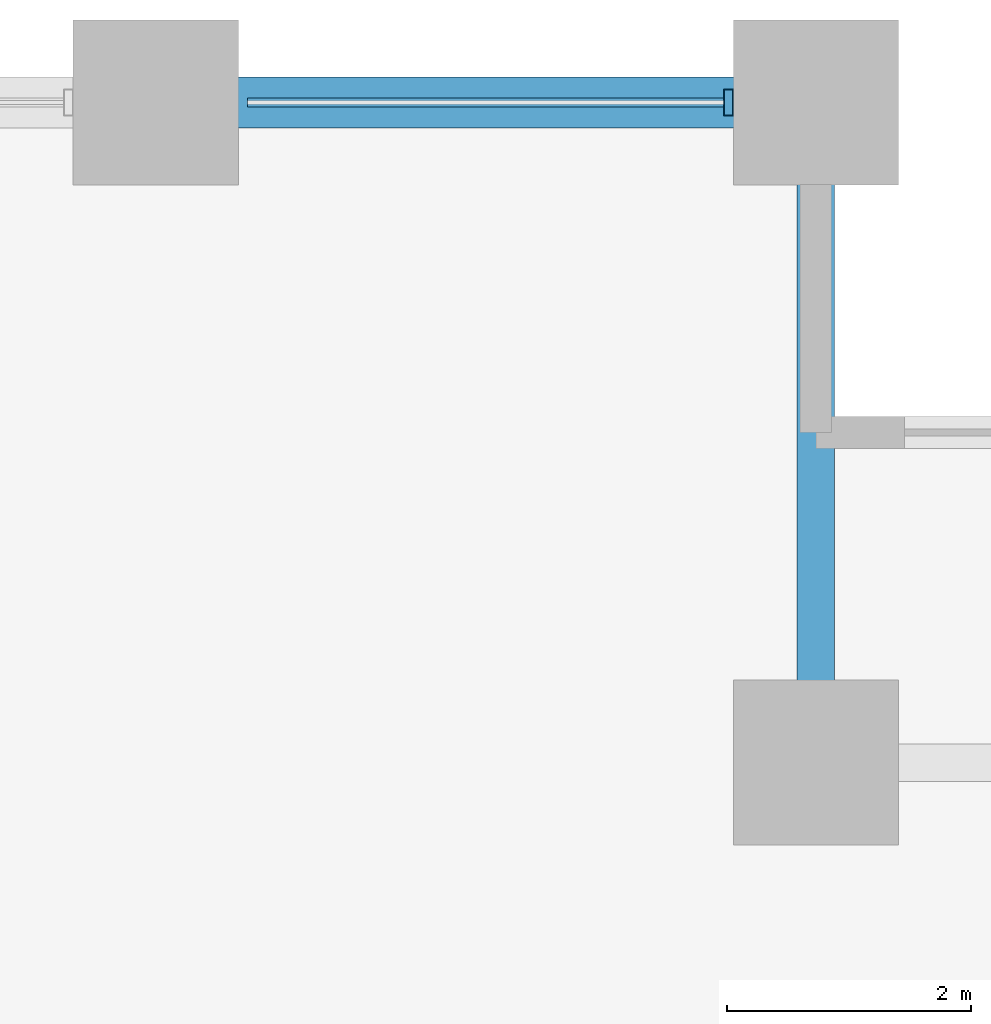
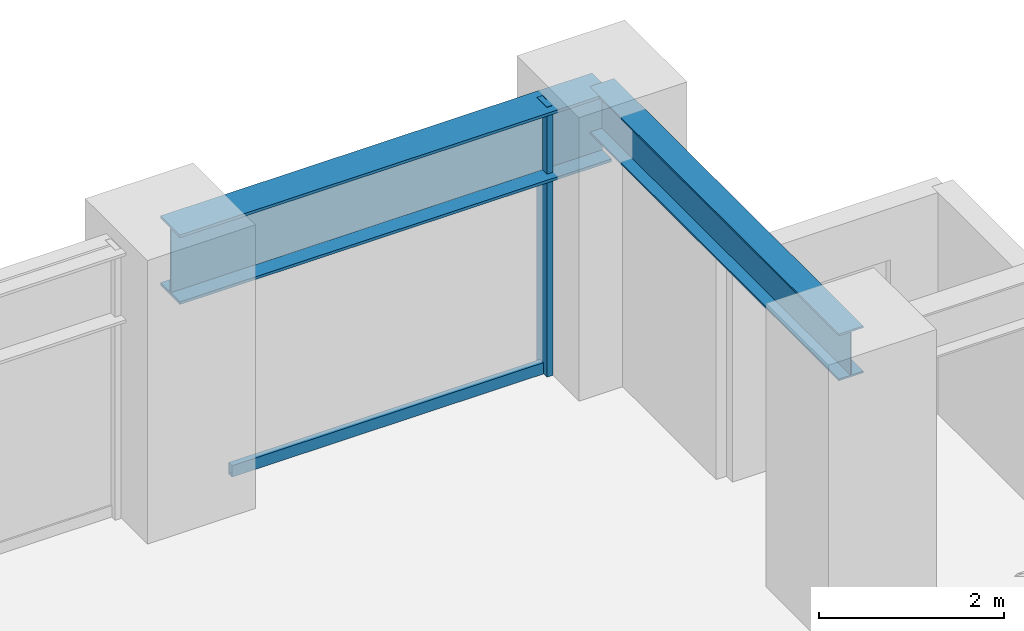
# One storey, part 16 of 25: 2 beams, 2 members, 1 element without a shape of its own.
"""IFC4 building model written with IfcOpenShell, lengths in metres."""

from ifc_helpers import new_model, si_unit, direction, frame, origin, origin_2d, place, context, subcontext, project, spatial, hollow_rectangle, i_section, extrude, material, layer, layer_set, material_profile, profile_set, type_object, element, aggregate, save


model = new_model("IFC4")

# Units and contexts
model_context = context("Model", 3, precision=1e-05, world=origin(), true_north=direction((0.0, 1.0)))
body_context = subcontext(model_context, "Body", "Model", "MODEL_VIEW")
ifc_project = project(units=[si_unit("LENGTHUNIT", "METRE"), si_unit("AREAUNIT", "SQUARE_METRE"), si_unit("VOLUMEUNIT", "CUBIC_METRE"), si_unit("PLANEANGLEUNIT", "RADIAN"), si_unit("MASSUNIT", "GRAM", prefix="KILO")], contexts=[model_context])

# Site, building, storey
site_placement = place(None, origin())
site = spatial("IfcSite", under=ifc_project, at=site_placement, CompositionType="ELEMENT")
building_placement = place(site_placement, origin())
building = spatial("IfcBuilding", under=site, at=building_placement, Name="Surkhivell Harbour Commons", CompositionType="ELEMENT")
storey_placement = place(building_placement, frame((0.0, 0.0, 41.25)))
storey = spatial("IfcBuildingStorey", under=building, at=storey_placement, Name="L10", CompositionType="ELEMENT", Elevation=41.25)

# Beams
ifc_material_1 = material(Name="Steel S355", Category="steel")
ifc_material_profile_1 = material_profile(ifc_material_1, i_section(OverallWidth=0.306884765625, OverallDepth=0.6201171875, WebThickness=0.01416015625, FlangeThickness=0.023681640625, at=origin_2d()), Name="UB610x305x179")
ifc_profile_set_1 = profile_set([ifc_material_profile_1], Name="Steel S355")
beam_type_1 = type_object("IfcBeamType", Name="BM-GRD-610A", PredefinedType="BEAM", material=ifc_profile_set_1)
beam_1_placement = place(storey_placement, frame((27.0, 20.5, 3.260009765625), z_axis=(0.0, 1.0, 0.0), x_axis=(-1.0, 0.0, 0.0)))
element("IfcBeam", 1, at=beam_1_placement, inside=storey, type_object=beam_type_1, Name="L10 Floor Girder (27.0,20.5)", PredefinedType="BEAM", context=body_context, shape_type="SweptSolid", body=[
    extrude(i_section(OverallWidth=0.306884765625, OverallDepth=0.6201171875, WebThickness=0.01416015625, FlangeThickness=0.023681640625, at=origin_2d()), origin(), (0.0, 0.0, 1.0), 5.39990234375),
])
ifc_material_2 = material(Name="Steel S460", Category="steel")
ifc_material_profile_2 = material_profile(ifc_material_2, i_section(OverallWidth=0.419921875, OverallDepth=0.9208984375, WebThickness=0.021484375, FlangeThickness=0.03662109375, at=origin_2d()), Name="UB914x419x388")
ifc_profile_set_2 = profile_set([ifc_material_profile_2], Name="Steel S460")
beam_type_2 = type_object("IfcBeamType", Name="BM-SPN-914A", PredefinedType="SPANDREL", material=ifc_profile_set_2)
beam_2_placement = place(storey_placement, frame((21.60009765625, 25.89990234375, 3.109619140625), z_axis=(1.0, 0.0, 0.0), x_axis=(0.0, 1.0, 0.0)))
element("IfcBeam", 2, at=beam_2_placement, inside=storey, type_object=beam_type_2, Name="L10 Tube Spandrel (21.6,25.9)", PredefinedType="SPANDREL", context=body_context, shape_type="SweptSolid", body=[
    extrude(i_section(OverallWidth=0.419921875, OverallDepth=0.9208984375, WebThickness=0.021484375, FlangeThickness=0.03662109375, at=origin_2d()), origin(), (0.0, 0.0, 1.0), 5.39990234375),
])

# Curtain wall, members
ifc_material_3 = material(Name="Anodised pale-metal aluminium and insulated glazing", Category="aluminium")
ifc_layer = layer(ifc_material_3, 0.219970703125)
ifc_layer_set = layer_set([ifc_layer], Name="Anodised pale-metal aluminium and insulated glazing")
curtain_wall_type = type_object("IfcCurtainWallType", Name="CW-SYS-Z1", PredefinedType="NOTDEFINED", material=ifc_layer_set)
curtain_wall_placement = place(storey_placement, origin())
curtain_wall = element("IfcCurtainWall", 3, at=curtain_wall_placement, inside=storey, type_object=curtain_wall_type, Name="L10 Curtain Wall CW-L10-E07S1", PredefinedType="NOTDEFINED")
ifc_material_4 = material(Name="Anodised pale-metal aluminium alloy 6063-T6", Category="aluminium")
ifc_material_profile_3 = material_profile(ifc_material_4, hollow_rectangle(XDim=0.074951171875, YDim=0.219970703125, WallThickness=0.00390625, at=origin_2d()), Name="ALU-MULL-75x220")
ifc_profile_set_3 = profile_set([ifc_material_profile_3], Name="Anodised pale-metal aluminium alloy 6063-T6")
member_type_1 = type_object("IfcMemberType", Name="CWM-220", PredefinedType="MULLION", material=ifc_profile_set_3)
member_1_placement = place(storey_placement, frame((26.285400390625, 25.89990234375, 0.0), z_axis=(0.0, 0.0, 1.0), x_axis=(-1.0, 0.0, 0.0)))
member_1 = element("IfcMember", 4, at=member_1_placement, type_object=member_type_1, Name="CW-Z1 mullion 1", PredefinedType="MULLION", context=body_context, shape_type="SweptSolid", body=[
    extrude(hollow_rectangle(XDim=0.074951171875, YDim=0.219970703125, WallThickness=0.00390625, at=origin_2d()), origin(), (0.0, 0.0, 1.0), 3.570068359375),
])
ifc_material_profile_4 = material_profile(ifc_material_4, hollow_rectangle(XDim=0.074951171875, YDim=0.14990234375, WallThickness=0.00341796875, at=origin_2d()), Name="ALU-TRAN-75x150")
ifc_profile_set_4 = profile_set([ifc_material_profile_4], Name="Anodised pale-metal aluminium alloy 6063-T6")
member_type_2 = type_object("IfcMemberType", Name="CWT-150", PredefinedType="USERDEFINED", material=ifc_profile_set_4)
member_2_placement = place(storey_placement, frame((26.248046875, 25.89990234375, 0.074951171875), z_axis=(-1.0, 0.0, 0.0), x_axis=(0.0, -1.0, 0.0)))
member_2 = element("IfcMember", 5, at=member_2_placement, type_object=member_type_2, Name="CW-Z1 transom 1.1", ObjectType="TRANSOM", PredefinedType="USERDEFINED", context=body_context, shape_type="SweptSolid", body=[
    extrude(hollow_rectangle(XDim=0.074951171875, YDim=0.14990234375, WallThickness=0.00341796875, at=origin_2d()), origin(), (0.0, 0.0, 1.0), 3.89599609375),
])
aggregate(curtain_wall, [member_1, member_2])

save(model, "model.ifc")
